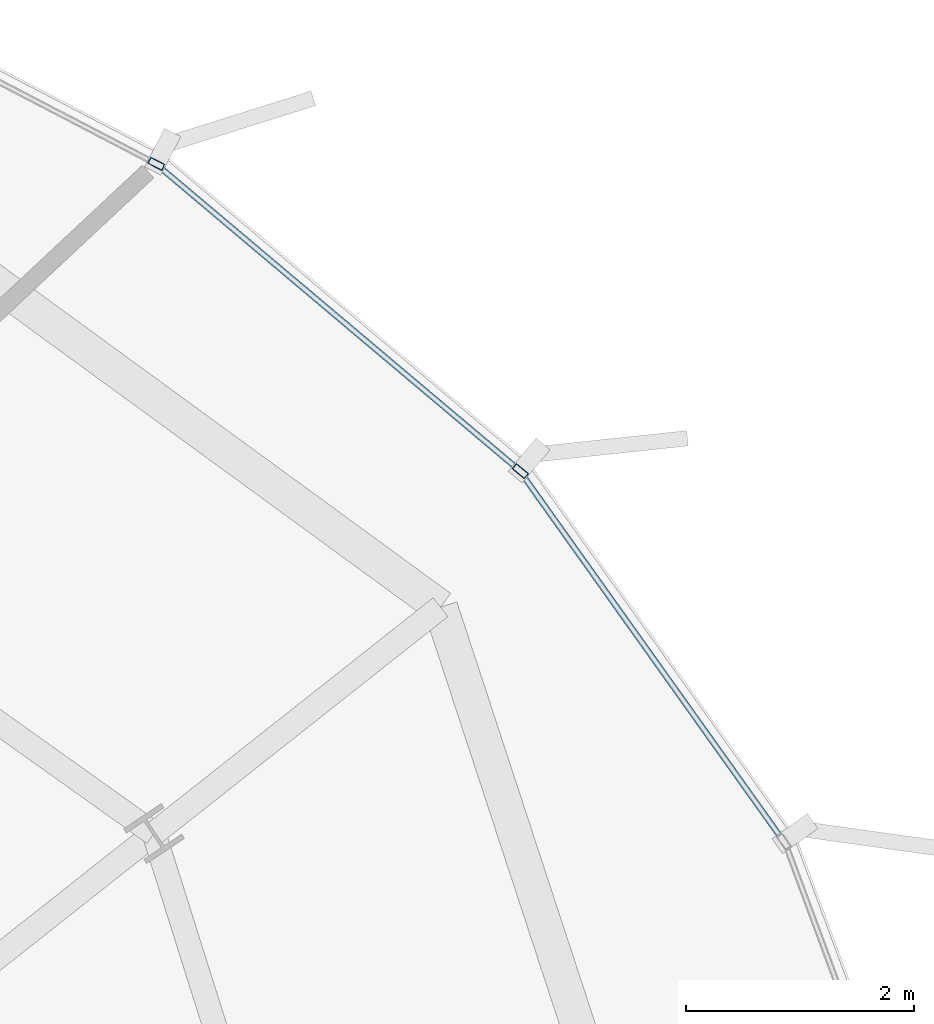
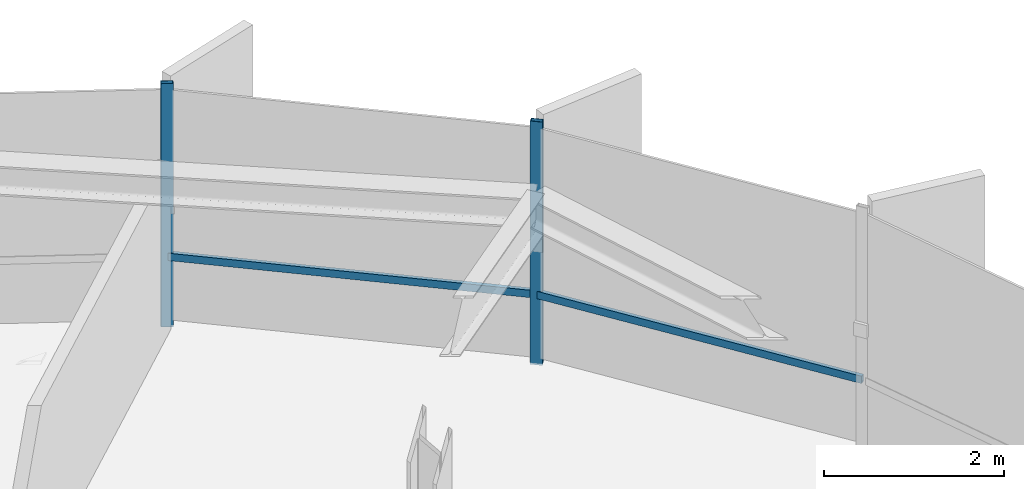
# One storey, part 26 of 35: 4 members, 1 element without a shape of its own.
"""IFC4 building model written with IfcOpenShell, lengths in metres."""

from ifc_helpers import new_model, si_unit, direction, frame, origin, origin_2d, place, context, subcontext, project, spatial, hollow_rectangle, extrude, source, transform, mapped, material, layer, layer_set, material_profile, profile_set, type_object, element, aggregate, save


model = new_model("IFC4")

# Units and contexts
model_context = context("Model", 3, precision=1e-05, world=origin(), true_north=direction((0.0, 1.0)))
body_context = subcontext(model_context, "Body", "Model", "MODEL_VIEW")
ifc_project = project(units=[si_unit("LENGTHUNIT", "METRE"), si_unit("AREAUNIT", "SQUARE_METRE"), si_unit("VOLUMEUNIT", "CUBIC_METRE"), si_unit("PLANEANGLEUNIT", "RADIAN"), si_unit("MASSUNIT", "GRAM", prefix="KILO"), si_unit("THERMODYNAMICTEMPERATUREUNIT", "KELVIN")], contexts=[model_context])

# Site, building, storey
site_placement = place(None, origin())
site = spatial("IfcSite", under=ifc_project, at=site_placement, CompositionType="ELEMENT")
building_placement = place(site_placement, origin())
building = spatial("IfcBuilding", under=site, at=building_placement, Name="Kethvar Cultural Tower", CompositionType="ELEMENT")
storey_placement = place(building_placement, frame((0.0, 0.0, 146.550048828125)))
storey = spatial("IfcBuildingStorey", under=building, at=storey_placement, Name="L37", CompositionType="ELEMENT", Elevation=146.550048828125)

# Curtain wall, members
ifc_material = material(Name="Aluminium 6063-T6", Category="aluminium")
ifc_layer = layer(ifc_material, 0.179931640625, Name="Aluminium 6063-T6", Category="aluminium")
ifc_layer_set = layer_set([ifc_layer], Name="Aluminium 6063-T6 (180 mm)")
curtain_wall_type = type_object("IfcCurtainWallType", Name="CW-SYS-04-Z34", PredefinedType="NOTDEFINED", material=ifc_layer_set)
curtain_wall_placement = place(storey_placement, origin())
curtain_wall = element("IfcCurtainWall", 1, at=curtain_wall_placement, inside=storey, type_object=curtain_wall_type, Name="L37 Curtain Wall Run 01", PredefinedType="NOTDEFINED")
ifc_material_profile_1 = material_profile(ifc_material, hollow_rectangle(XDim=0.06005859375, YDim=0.139892578125, WallThickness=0.0048828125, at=origin_2d()), Name="Aluminium 6063-T6 — RHS140x60x5")
ifc_profile_set_1 = profile_set([ifc_material_profile_1], Name="Aluminium 6063-T6 — RHS140x60x5")
member_type_1 = type_object("IfcMemberType", Name="CW-SYS-04-Z34-MUL", PredefinedType="MULLION", material=ifc_profile_set_1)
shared_shape_1 = source(origin(), body_context, "Body", "SweptSolid", [
    extrude(hollow_rectangle(XDim=0.06005859375, YDim=0.139892578125, WallThickness=0.0048828125, at=origin_2d()), origin(), (0.0, 0.0, 1.0), 3.300048828125),
])
member_1_placement = place(storey_placement, frame((71.778564453125, 45.521728515625, 0.0), z_axis=(0.0, 0.0, 1.0), x_axis=(-0.64451070875, -0.764595282687, 0.0)))
member_1 = element("IfcMember", 2, at=member_1_placement, type_object=member_type_1, Name="CW-L37-R01 Mullion 2", PredefinedType="MULLION", context=body_context, shape_type="MappedRepresentation", body=[
    mapped(shared_shape_1, transform((0.0, 0.0, 0.0), scale=1.0)),
])
member_2_placement = place(storey_placement, frame((68.589111328125, 48.213623046875, 0.0), z_axis=(0.0, 0.0, 1.0), x_axis=(-0.461686687072, -0.887043067151, 0.0)))
member_2 = element("IfcMember", 3, at=member_2_placement, type_object=member_type_1, Name="CW-L37-R01 Mullion 3", PredefinedType="MULLION", context=body_context, shape_type="MappedRepresentation", body=[
    mapped(shared_shape_1, transform((0.0, 0.0, 0.0), scale=1.0)),
])
ifc_material_profile_2 = material_profile(ifc_material, hollow_rectangle(XDim=0.050048828125, YDim=0.10009765625, WallThickness=0.00390625, at=origin_2d()), Name="Aluminium 6063-T6 — RHS100x50x4")
ifc_profile_set_2 = profile_set([ifc_material_profile_2], Name="Aluminium 6063-T6 — RHS100x50x4")
member_type_2 = type_object("IfcMemberType", Name="CW-SYS-04-Z34-TRN", PredefinedType="USERDEFINED", material=ifc_profile_set_2)
shared_shape_2 = source(origin(), body_context, "Body", "SweptSolid", [
    extrude(hollow_rectangle(XDim=0.050048828125, YDim=0.10009765625, WallThickness=0.00390625, at=origin_2d()), origin(), (0.0, 0.0, 1.0), 3.963623046875),
])
member_3_placement = place(storey_placement, frame((74.0849609375, 42.27880859375, 0.949951171875), z_axis=(-0.580288066958, 0.81441129618, 0.0), x_axis=(-0.81441129618, -0.580288066958, 0.0)))
member_3 = element("IfcMember", 4, at=member_3_placement, type_object=member_type_2, Name="CW-L37-R01 Transom 1", ObjectType="TRANSOM", PredefinedType="USERDEFINED", context=body_context, shape_type="MappedRepresentation", body=[
    mapped(shared_shape_2, transform((0.0, 0.0, 0.0), scale=1.0)),
])
shared_shape_3 = source(origin(), body_context, "Body", "SweptSolid", [
    extrude(hollow_rectangle(XDim=0.050048828125, YDim=0.10009765625, WallThickness=0.00390625, at=origin_2d()), origin(), (0.0, 0.0, 1.0), 4.111328125),
])
member_4_placement = place(storey_placement, frame((71.74560546875, 45.549560546875, 0.949951171875), z_axis=(-0.764587731174, 0.644519667146, 0.0), x_axis=(-0.644519667146, -0.764587731174, 0.0)))
member_4 = element("IfcMember", 5, at=member_4_placement, type_object=member_type_2, Name="CW-L37-R01 Transom 2", ObjectType="TRANSOM", PredefinedType="USERDEFINED", context=body_context, shape_type="MappedRepresentation", body=[
    mapped(shared_shape_3, transform((0.0, 0.0, 0.0), scale=1.0)),
])
aggregate(curtain_wall, [member_1, member_2, member_3, member_4])

save(model, "model.ifc")
